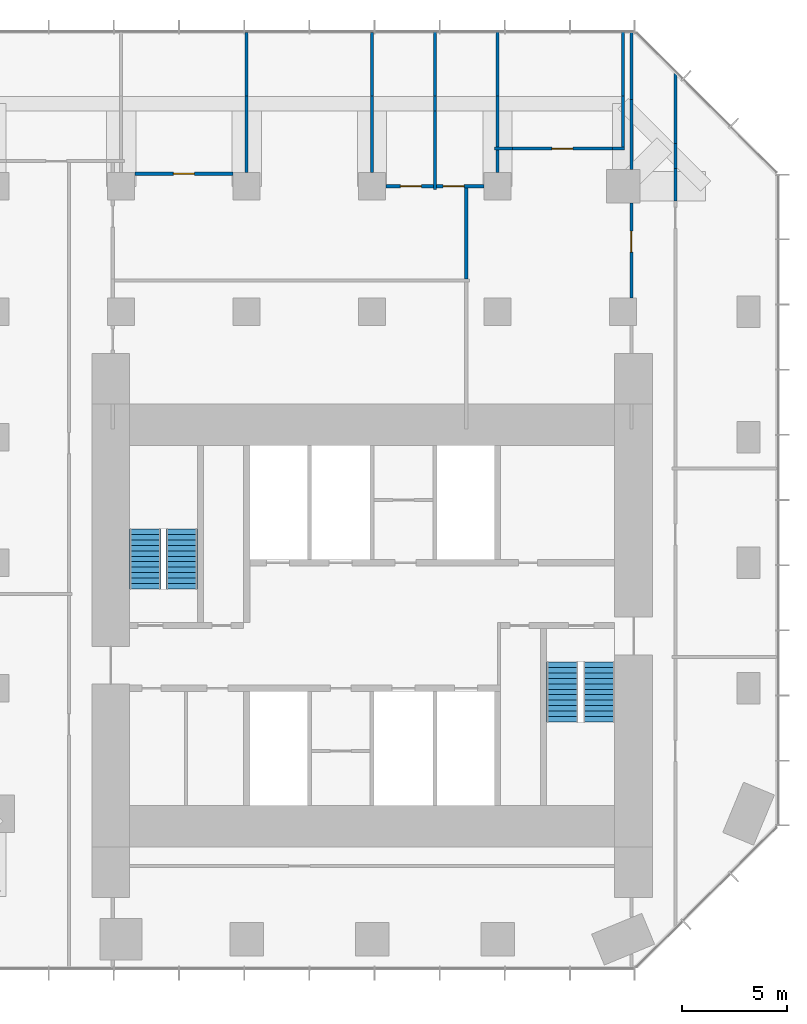
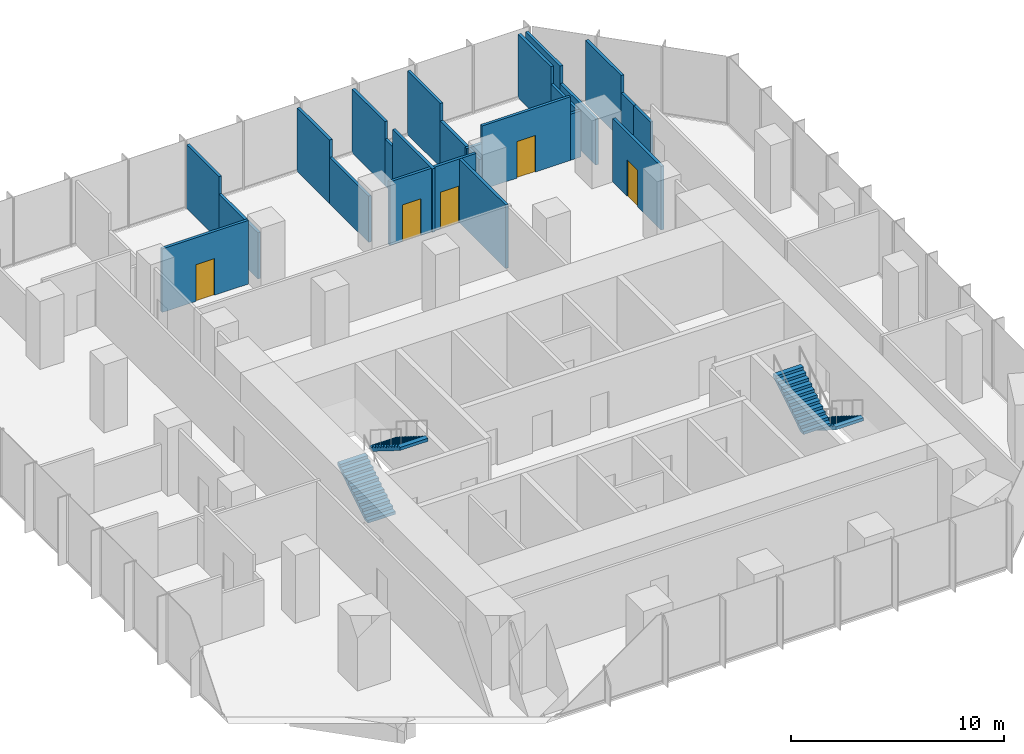
# One storey, part 10 of 11: 25 walls, 5 doors, 4 stair flights, 5 openings, 2 elements without a shape of their own.
"""IFC4 building model written with IfcOpenShell, lengths in metres."""

from ifc_helpers import new_model, si_unit, direction, frame, frame_2d, origin, place, context, subcontext, project, spatial, polyline, rectangle, outline, extrude, material, layer, layer_set, type_object, element, fill, aggregate, save


model = new_model("IFC4")

# Units and contexts
model_context = context("Model", 3, precision=1e-05, world=origin(), true_north=direction((0.0, 1.0)))
body_context = subcontext(model_context, "Body", "Model", "MODEL_VIEW")
ifc_project = project(units=[si_unit("LENGTHUNIT", "METRE"), si_unit("AREAUNIT", "SQUARE_METRE"), si_unit("VOLUMEUNIT", "CUBIC_METRE"), si_unit("PLANEANGLEUNIT", "RADIAN"), si_unit("MASSUNIT", "GRAM", prefix="KILO")], contexts=[model_context])

# Site, building, storey
site_placement = place(None, origin())
site = spatial("IfcSite", under=ifc_project, at=site_placement, CompositionType="ELEMENT")
building_placement = place(site_placement, origin())
building = spatial("IfcBuilding", under=site, at=building_placement, Name="Highveld Stack Headquarters", CompositionType="ELEMENT")
storey_placement = place(building_placement, frame((0.0, 0.0, 204.5)))
storey = spatial("IfcBuildingStorey", under=building, at=storey_placement, Name="L50", CompositionType="ELEMENT", Elevation=204.5)

# Wall, opening, door
ifc_material_1 = material(Name="Laminated glass in aluminium frame", Category="aluminium")
ifc_layer_1 = layer(ifc_material_1, 0.14990234375)
ifc_layer_set_1 = layer_set([ifc_layer_1], Name="Laminated glass in aluminium frame")
wall_type_1 = type_object("IfcWallType", Name="GLAZED PARTITION 150", PredefinedType="PARTITIONING", material=ifc_layer_set_1)
wall_1_placement = place(storey_placement, frame((-5.340087890625, 24.60009765625, 0.0), z_axis=(0.0, 0.0, 1.0), x_axis=(1.0, 0.0, 0.0)))
wall_1 = element("IfcWall", 1, at=wall_1_placement, inside=storey, type_object=wall_type_1, Name="Glazed partition Video conference room L50", PredefinedType="PARTITIONING", context=body_context, shape_type="SweptSolid", body=[
    extrude(rectangle(XDim=4.68017578125, YDim=0.14990234375, at=frame_2d((2.340087890625, 0.0))), origin(), (0.0, 0.0, 1.0), 3.64990234375),
])
opening_1_placement = place(wall_1_placement, frame((1.840087890625, 0.0, 0.0)))
opening_1 = element("IfcOpeningElement", 2, at=opening_1_placement, cuts=wall_1, Name="Opening L50-17", PredefinedType="OPENING", context=body_context, shape_type="SweptSolid", body=[
    extrude(rectangle(XDim=1.0, YDim=2.10009765625, at=frame_2d((0.5, 1.050048828125))), frame((0.0, 0.0849609375, 0.0), z_axis=(0.0, -1.0, 0.0), x_axis=(1.0, 0.0, 0.0)), (0.0, 0.0, 1.0), 0.169921875),
])
ifc_material_2 = material(Name="Timber door, oiled ash", Category="wood")
door_type = type_object("IfcDoorType", Name="ROOM DOOR D6 1000x2100", OperationType="SINGLE_SWING_LEFT", PredefinedType="DOOR", material=ifc_material_2)
door_1_placement = place(opening_1_placement, origin())
door_1 = element("IfcDoor", 3, at=door_1_placement, inside=storey, type_object=door_type, Name="Video conference room door 1 L50", OperationType="SINGLE_SWING_RIGHT", OverallHeight=2.10009765625, OverallWidth=1.0, PredefinedType="DOOR", context=body_context, shape_type="SweptSolid", body=[
    extrude(rectangle(XDim=1.0, YDim=2.10009765625, at=frame_2d((0.5, 1.050048828125))), frame((0.0, 0.02490234375, 0.0), z_axis=(0.0, -1.0, 0.0), x_axis=(1.0, 0.0, 0.0)), (0.0, 0.0, 1.0), 0.050048828125),
])
fill(opening_1, door_1)

ifc_material_3 = material(Name="Gypsum plasterboard on steel studs", Category="steel")
ifc_layer_2 = layer(ifc_material_3, 0.14990234375)
ifc_layer_set_2 = layer_set([ifc_layer_2], Name="Gypsum plasterboard on steel studs")
wall_type_2 = type_object("IfcWallType", Name="PARTITION 150 PLASTERBOARD", PredefinedType="PARTITIONING", material=ifc_layer_set_2)
wall_2_placement = place(storey_placement, frame((6.659912109375, 24.0, 0.0), z_axis=(0.0, 0.0, 1.0), x_axis=(1.0, 0.0, 0.0)))
wall_2 = element("IfcWall", 4, at=wall_2_placement, inside=storey, type_object=wall_type_2, Name="Partition Office L50", PredefinedType="PARTITIONING", context=body_context, shape_type="SweptSolid", body=[
    extrude(rectangle(XDim=2.26513671875, YDim=0.14990234375, at=frame_2d((1.132568359375, 0.0))), origin(), (0.0, 0.0, 1.0), 3.64990234375),
])
opening_2_placement = place(wall_2_placement, frame((0.695068359375, 0.0, 0.0)))
opening_2 = element("IfcOpeningElement", 5, at=opening_2_placement, cuts=wall_2, Name="Opening L50-18", PredefinedType="OPENING", context=body_context, shape_type="SweptSolid", body=[
    extrude(rectangle(XDim=1.0, YDim=2.10009765625, at=frame_2d((0.5, 1.050048828125))), frame((0.0, 0.0849609375, 0.0), z_axis=(0.0, -1.0, 0.0), x_axis=(1.0, 0.0, 0.0)), (0.0, 0.0, 1.0), 0.169921875),
])
door_2_placement = place(opening_2_placement, origin())
door_2 = element("IfcDoor", 6, at=door_2_placement, inside=storey, type_object=door_type, Name="Office door 1 L50", OperationType="SINGLE_SWING_RIGHT", OverallHeight=2.10009765625, OverallWidth=1.0, PredefinedType="DOOR", context=body_context, shape_type="SweptSolid", body=[
    extrude(rectangle(XDim=1.0, YDim=2.10009765625, at=frame_2d((0.5, 1.050048828125))), frame((0.0, 0.02490234375, 0.0), z_axis=(0.0, -1.0, 0.0), x_axis=(1.0, 0.0, 0.0)), (0.0, 0.0, 1.0), 0.050048828125),
])
fill(opening_2, door_2)

wall_3_placement = place(storey_placement, frame((9.074951171875, 24.0, 0.0), z_axis=(0.0, 0.0, 1.0), x_axis=(1.0, 0.0, 0.0)))
wall_3 = element("IfcWall", 7, at=wall_3_placement, inside=storey, type_object=wall_type_2, Name="Partition Office L50", PredefinedType="PARTITIONING", context=body_context, shape_type="SweptSolid", body=[
    extrude(rectangle(XDim=2.26513671875, YDim=0.14990234375, at=frame_2d((1.132568359375, 0.0))), origin(), (0.0, 0.0, 1.0), 3.64990234375),
])
opening_3_placement = place(wall_3_placement, frame((0.324951171875, 0.0, 0.0)))
opening_3 = element("IfcOpeningElement", 8, at=opening_3_placement, cuts=wall_3, Name="Opening L50-19", PredefinedType="OPENING", context=body_context, shape_type="SweptSolid", body=[
    extrude(rectangle(XDim=1.0, YDim=2.10009765625, at=frame_2d((0.5, 1.050048828125))), frame((0.0, 0.0849609375, 0.0), z_axis=(0.0, -1.0, 0.0), x_axis=(1.0, 0.0, 0.0)), (0.0, 0.0, 1.0), 0.169921875),
])
door_3_placement = place(opening_3_placement, origin())
door_3 = element("IfcDoor", 9, at=door_3_placement, inside=storey, type_object=door_type, Name="Office door 1 L50", OperationType="SINGLE_SWING_LEFT", OverallHeight=2.10009765625, OverallWidth=1.0, PredefinedType="DOOR", context=body_context, shape_type="SweptSolid", body=[
    extrude(rectangle(XDim=1.0, YDim=2.10009765625, at=frame_2d((0.5, 1.050048828125))), frame((0.0, 0.02490234375, 0.0), z_axis=(0.0, -1.0, 0.0), x_axis=(1.0, 0.0, 0.0)), (0.0, 0.0, 1.0), 0.050048828125),
])
fill(opening_3, door_3)

# Wall
wall_4_placement = place(storey_placement, frame((11.85009765625, 25.800048828125, 0.0), z_axis=(0.0, 0.0, 1.0), x_axis=(1.0, 0.0, 0.0)))
element("IfcWall", 10, at=wall_4_placement, inside=storey, type_object=wall_type_2, Name="Partition Print room L50", PredefinedType="PARTITIONING", context=body_context, shape_type="SweptSolid", body=[
    extrude(rectangle(XDim=0.85986328125, YDim=0.14990234375, at=frame_2d((0.429931640625, 0.0))), origin(), (0.0, 0.0, 1.0), 2.64990234375),
])

# Wall, opening, door
wall_5_placement = place(storey_placement, frame((12.7099609375, 25.800048828125, 0.0), z_axis=(0.0, 0.0, 1.0), x_axis=(1.0, 0.0, 0.0)))
wall_5 = element("IfcWall", 11, at=wall_5_placement, inside=storey, type_object=wall_type_2, Name="Partition Print room L50", PredefinedType="PARTITIONING", context=body_context, shape_type="SweptSolid", body=[
    extrude(rectangle(XDim=4.780029296875, YDim=0.14990234375, at=frame_2d((2.39013671875, 0.0))), origin(), (0.0, 0.0, 1.0), 3.64990234375),
])
opening_4_placement = place(wall_5_placement, frame((1.889892578125, 0.0, 0.0)))
opening_4 = element("IfcOpeningElement", 12, at=opening_4_placement, cuts=wall_5, Name="Opening L50-20", PredefinedType="OPENING", context=body_context, shape_type="SweptSolid", body=[
    extrude(rectangle(XDim=1.0, YDim=2.10009765625, at=frame_2d((0.5, 1.050048828125))), frame((0.0, 0.0849609375, 0.0), z_axis=(0.0, -1.0, 0.0), x_axis=(1.0, 0.0, 0.0)), (0.0, 0.0, 1.0), 0.169921875),
])
door_4_placement = place(opening_4_placement, origin())
door_4 = element("IfcDoor", 13, at=door_4_placement, inside=storey, type_object=door_type, Name="Print room door 1 L50", OperationType="SINGLE_SWING_LEFT", OverallHeight=2.10009765625, OverallWidth=1.0, PredefinedType="DOOR", context=body_context, shape_type="SweptSolid", body=[
    extrude(rectangle(XDim=1.0, YDim=2.10009765625, at=frame_2d((0.5, 1.050048828125))), frame((0.0, 0.02490234375, 0.0), z_axis=(0.0, -1.0, 0.0), x_axis=(1.0, 0.0, 0.0)), (0.0, 0.0, 1.0), 0.050048828125),
])
fill(opening_4, door_4)

# Walls
wall_6_placement = place(storey_placement, frame((17.489990234375, 25.800048828125, 0.0), z_axis=(0.0, 0.0, 1.0), x_axis=(1.0, 0.0, 0.0)))
element("IfcWall", 14, at=wall_6_placement, inside=storey, type_object=wall_type_2, Name="Partition Print room L50", PredefinedType="PARTITIONING", context=body_context, shape_type="SweptSolid", body=[
    extrude(rectangle(XDim=0.5849609375, YDim=0.14990234375, at=frame_2d((0.29248046875, 0.0))), origin(), (0.0, 0.0, 1.0), 2.64990234375),
])
wall_7_placement = place(storey_placement, frame((0.0, 24.64990234375, 0.0), z_axis=(0.0, 0.0, 1.0), x_axis=(0.0, 1.0, 0.0)))
element("IfcWall", 15, at=wall_7_placement, inside=storey, type_object=wall_type_2, Name="Partition Video conference room L50", PredefinedType="PARTITIONING", context=body_context, shape_type="SweptSolid", body=[
    extrude(rectangle(XDim=3.66015625, YDim=0.14990234375, at=frame_2d((1.830078125, 0.0))), origin(), (0.0, 0.0, 1.0), 2.64990234375),
])
wall_8_placement = place(storey_placement, frame((0.0, 28.31005859375, 0.0), z_axis=(0.0, 0.0, 1.0), x_axis=(0.0, 1.0, 0.0)))
element("IfcWall", 16, at=wall_8_placement, inside=storey, type_object=wall_type_2, Name="Partition Video conference room L50", PredefinedType="PARTITIONING", context=body_context, shape_type="SweptSolid", body=[
    extrude(rectangle(XDim=3.0400390625, YDim=0.14990234375, at=frame_2d((1.52001953125, 0.0))), origin(), (0.0, 0.0, 1.0), 3.64990234375),
])
wall_9_placement = place(storey_placement, frame((6.0, 24.64990234375, 0.0), z_axis=(0.0, 0.0, 1.0), x_axis=(0.0, 1.0, 0.0)))
element("IfcWall", 17, at=wall_9_placement, inside=storey, type_object=wall_type_2, Name="Partition Office L50", PredefinedType="PARTITIONING", context=body_context, shape_type="SweptSolid", body=[
    extrude(rectangle(XDim=3.66015625, YDim=0.14990234375, at=frame_2d((1.830078125, 0.0))), origin(), (0.0, 0.0, 1.0), 2.64990234375),
])
wall_10_placement = place(storey_placement, frame((6.0, 28.31005859375, 0.0), z_axis=(0.0, 0.0, 1.0), x_axis=(0.0, 1.0, 0.0)))
element("IfcWall", 18, at=wall_10_placement, inside=storey, type_object=wall_type_2, Name="Partition Office L50", PredefinedType="PARTITIONING", context=body_context, shape_type="SweptSolid", body=[
    extrude(rectangle(XDim=3.0400390625, YDim=0.14990234375, at=frame_2d((1.52001953125, 0.0))), origin(), (0.0, 0.0, 1.0), 3.64990234375),
])
wall_11_placement = place(storey_placement, frame((9.0, 23.85009765625, 0.0), z_axis=(0.0, 0.0, 1.0), x_axis=(0.0, 1.0, 0.0)))
element("IfcWall", 19, at=wall_11_placement, inside=storey, type_object=wall_type_2, Name="Partition Office L50", PredefinedType="PARTITIONING", context=body_context, shape_type="SweptSolid", body=[
    extrude(rectangle(XDim=3.739990234375, YDim=0.14990234375, at=frame_2d((1.8701171875, 0.0))), origin(), (0.0, 0.0, 1.0), 3.64990234375),
])
wall_12_placement = place(storey_placement, frame((9.0, 27.590087890625, 0.0), z_axis=(0.0, 0.0, 1.0), x_axis=(0.0, 1.0, 0.0)))
element("IfcWall", 20, at=wall_12_placement, inside=storey, type_object=wall_type_2, Name="Partition Office L50", PredefinedType="PARTITIONING", context=body_context, shape_type="SweptSolid", body=[
    extrude(rectangle(XDim=0.719970703125, YDim=0.14990234375, at=frame_2d((0.35986328125, 0.0))), origin(), (0.0, 0.0, 1.0), 2.64990234375),
])
wall_13_placement = place(storey_placement, frame((9.0, 28.31005859375, 0.0), z_axis=(0.0, 0.0, 1.0), x_axis=(0.0, 1.0, 0.0)))
element("IfcWall", 21, at=wall_13_placement, inside=storey, type_object=wall_type_2, Name="Partition Office L50", PredefinedType="PARTITIONING", context=body_context, shape_type="SweptSolid", body=[
    extrude(rectangle(XDim=3.08984375, YDim=0.14990234375, at=frame_2d((1.544921875, 0.0))), origin(), (0.0, 0.0, 1.0), 3.64990234375),
])
wall_14_placement = place(storey_placement, frame((12.0, 24.64990234375, 0.0), z_axis=(0.0, 0.0, 1.0), x_axis=(0.0, 1.0, 0.0)))
element("IfcWall", 22, at=wall_14_placement, inside=storey, type_object=wall_type_2, Name="Partition Office L50", PredefinedType="PARTITIONING", context=body_context, shape_type="SweptSolid", body=[
    extrude(rectangle(XDim=1.0751953125, YDim=0.14990234375, at=frame_2d((0.53759765625, 0.0))), origin(), (0.0, 0.0, 1.0), 2.64990234375),
])
wall_15_placement = place(storey_placement, frame((12.0, 25.875, 0.0), z_axis=(0.0, 0.0, 1.0), x_axis=(0.0, 1.0, 0.0)))
element("IfcWall", 23, at=wall_15_placement, inside=storey, type_object=wall_type_2, Name="Partition Office / Print room L50", PredefinedType="PARTITIONING", context=body_context, shape_type="SweptSolid", body=[
    extrude(rectangle(XDim=2.43505859375, YDim=0.14990234375, at=frame_2d((1.217529296875, 0.0))), origin(), (0.0, 0.0, 1.0), 2.64990234375),
])
wall_16_placement = place(storey_placement, frame((12.0, 28.31005859375, 0.0), z_axis=(0.0, 0.0, 1.0), x_axis=(0.0, 1.0, 0.0)))
element("IfcWall", 24, at=wall_16_placement, inside=storey, type_object=wall_type_2, Name="Partition Office / Print room L50", PredefinedType="PARTITIONING", context=body_context, shape_type="SweptSolid", body=[
    extrude(rectangle(XDim=3.08984375, YDim=0.14990234375, at=frame_2d((1.544921875, 0.0))), origin(), (0.0, 0.0, 1.0), 3.64990234375),
])
wall_17_placement = place(storey_placement, frame((18.0, 25.875, 0.0), z_axis=(0.0, 0.0, 1.0), x_axis=(0.0, 1.0, 0.0)))
element("IfcWall", 25, at=wall_17_placement, inside=storey, type_object=wall_type_2, Name="Partition Print room L50", PredefinedType="PARTITIONING", context=body_context, shape_type="SweptSolid", body=[
    extrude(rectangle(XDim=2.43505859375, YDim=0.14990234375, at=frame_2d((1.217529296875, 0.0))), origin(), (0.0, 0.0, 1.0), 2.64990234375),
])
wall_18_placement = place(storey_placement, frame((18.0, 28.31005859375, 0.0), z_axis=(0.0, 0.0, 1.0), x_axis=(0.0, 1.0, 0.0)))
element("IfcWall", 26, at=wall_18_placement, inside=storey, type_object=wall_type_2, Name="Partition Print room L50", PredefinedType="PARTITIONING", context=body_context, shape_type="SweptSolid", body=[
    extrude(rectangle(XDim=3.08984375, YDim=0.14990234375, at=frame_2d((1.544921875, 0.0))), origin(), (0.0, 0.0, 1.0), 3.64990234375),
])
wall_19_placement = place(storey_placement, frame((10.5, 19.574951171875, 0.0), z_axis=(0.0, 0.0, 1.0), x_axis=(0.0, 1.0, 0.0)))
element("IfcWall", 27, at=wall_19_placement, inside=storey, type_object=wall_type_2, Name="Partition office neighbourhood L50", PredefinedType="PARTITIONING", context=body_context, shape_type="SweptSolid", body=[
    extrude(rectangle(XDim=4.35009765625, YDim=0.14990234375, at=frame_2d((2.175048828125, 0.0))), origin(), (0.0, 0.0, 1.0), 3.64990234375),
])

# Wall, opening, door
wall_20_placement = place(storey_placement, frame((18.39990234375, 18.64990234375, 0.0), z_axis=(0.0, 0.0, 1.0), x_axis=(0.0, 1.0, 0.0)))
wall_20 = element("IfcWall", 28, at=wall_20_placement, inside=storey, type_object=wall_type_2, Name="Partition office neighbourhood L50", PredefinedType="PARTITIONING", context=body_context, shape_type="SweptSolid", body=[
    extrude(rectangle(XDim=4.550048828125, YDim=0.14990234375, at=frame_2d((2.27490234375, 0.0))), origin(), (0.0, 0.0, 1.0), 3.64990234375),
])
opening_5_placement = place(wall_20_placement, frame((2.205078125, 0.0, 0.0)))
opening_5 = element("IfcOpeningElement", 29, at=opening_5_placement, cuts=wall_20, Name="Opening L50-26", PredefinedType="OPENING", context=body_context, shape_type="SweptSolid", body=[
    extrude(rectangle(XDim=1.0, YDim=2.10009765625, at=frame_2d((0.5, 1.050048828125))), frame((0.0, 0.0849609375, 0.0), z_axis=(0.0, -1.0, 0.0), x_axis=(1.0, 0.0, 0.0)), (0.0, 0.0, 1.0), 0.169921875),
])
door_5_placement = place(opening_5_placement, origin())
door_5 = element("IfcDoor", 30, at=door_5_placement, inside=storey, type_object=door_type, Name="Office neighbourhood door L50", OperationType="SINGLE_SWING_RIGHT", OverallHeight=2.10009765625, OverallWidth=1.0, PredefinedType="DOOR", context=body_context, shape_type="SweptSolid", body=[
    extrude(rectangle(XDim=1.0, YDim=2.10009765625, at=frame_2d((0.5, 1.050048828125))), frame((0.0, 0.02490234375, 0.0), z_axis=(0.0, -1.0, 0.0), x_axis=(1.0, 0.0, 0.0)), (0.0, 0.0, 1.0), 0.050048828125),
])
fill(opening_5, door_5)

# Walls
wall_21_placement = place(storey_placement, frame((18.39990234375, 24.800048828125, 0.0), z_axis=(0.0, 0.0, 1.0), x_axis=(0.0, 1.0, 0.0)))
element("IfcWall", 31, at=wall_21_placement, inside=storey, type_object=wall_type_2, Name="Partition office neighbourhood L50", PredefinedType="PARTITIONING", context=body_context, shape_type="SweptSolid", body=[
    extrude(rectangle(XDim=3.33984375, YDim=0.14990234375, at=frame_2d((1.669921875, 0.0))), origin(), (0.0, 0.0, 1.0), 2.64990234375),
])
wall_22_placement = place(storey_placement, frame((18.39990234375, 28.139892578125, 0.0), z_axis=(0.0, 0.0, 1.0), x_axis=(0.0, 1.0, 0.0)))
element("IfcWall", 32, at=wall_22_placement, inside=storey, type_object=wall_type_2, Name="Partition office neighbourhood L50", PredefinedType="PARTITIONING", context=body_context, shape_type="SweptSolid", body=[
    extrude(rectangle(XDim=3.260009765625, YDim=0.14990234375, at=frame_2d((1.6298828125, 0.0))), origin(), (0.0, 0.0, 1.0), 3.64990234375),
])
wall_23_placement = place(storey_placement, frame((20.5, 23.2900390625, 0.0), z_axis=(0.0, 0.0, 1.0), x_axis=(0.0, 1.0, 0.0)))
element("IfcWall", 33, at=wall_23_placement, inside=storey, type_object=wall_type_2, Name="Partition office neighbourhood L50", PredefinedType="PARTITIONING", context=body_context, shape_type="SweptSolid", body=[
    extrude(rectangle(XDim=1.570068359375, YDim=0.14990234375, at=frame_2d((0.78515625, 0.0))), origin(), (0.0, 0.0, 1.0), 2.64990234375),
])
wall_24_placement = place(storey_placement, frame((20.5, 24.860107421875, 0.0), z_axis=(0.0, 0.0, 1.0), x_axis=(0.0, 1.0, 0.0)))
element("IfcWall", 34, at=wall_24_placement, inside=storey, type_object=wall_type_2, Name="Partition office neighbourhood L50", PredefinedType="PARTITIONING", context=body_context, shape_type="SweptSolid", body=[
    extrude(rectangle(XDim=1.179931640625, YDim=0.14990234375, at=frame_2d((0.58984375, 0.0))), origin(), (0.0, 0.0, 1.0), 2.64990234375),
])
wall_25_placement = place(storey_placement, frame((20.5, 26.0400390625, 0.0), z_axis=(0.0, 0.0, 1.0), x_axis=(0.0, 1.0, 0.0)))
element("IfcWall", 35, at=wall_25_placement, inside=storey, type_object=wall_type_2, Name="Partition office neighbourhood L50", PredefinedType="PARTITIONING", context=body_context, shape_type="SweptSolid", body=[
    extrude(rectangle(XDim=3.347900390625, YDim=0.14990234375, at=frame_2d((1.673828125, 0.0))), origin(), (0.0, 0.0, 1.0), 3.64990234375),
])

# Stair, stair flights
ifc_material_4 = material(Name="Concrete C40/50, precast", Category="concrete")
stair_type_1 = type_object("IfcStairType", Name="STAIR S1 HALF TURN 1500", PredefinedType="HALF_TURN_STAIR", material=ifc_material_4)
stair_1_placement = place(storey_placement, origin())
stair_1 = element("IfcStair", 36, at=stair_1_placement, inside=storey, type_object=stair_type_1, Name="Stair S1 L50", PredefinedType="HALF_TURN_STAIR")
ifc_material_5 = material(Name="Concrete C40/50, precast", Category="concrete")
stair_flight_type = type_object("IfcStairFlightType", Name="STAIR FLIGHT 1500 PRECAST", PredefinedType="STRAIGHT", material=ifc_material_5)
stair_flight_1_placement = place(storey_placement, frame((-4.85009765625, 4.75, 0.0), z_axis=(0.0, 0.0, 1.0), x_axis=(0.0, 1.0, 0.0)))
stair_flight_1 = element("IfcStairFlight", 37, at=stair_flight_1_placement, type_object=stair_flight_type, Name="S1 flight 1", NumberOfRisers=12, NumberOfTreads=11, PredefinedType="STRAIGHT", RiserHeight=0.1625, TreadLength=0.26, context=body_context, shape_type="SweptSolid", body=[
    extrude(outline(polyline([(0.0, 0.0), (0.0, 0.16259765625), (0.260009765625, 0.16259765625), (0.260009765625, 0.324951171875), (0.52001953125, 0.324951171875), (0.52001953125, 0.487548828125), (0.780029296875, 0.487548828125), (0.780029296875, 0.64990234375), (1.0400390625, 0.64990234375), (1.0400390625, 0.8125), (1.300048828125, 0.8125), (1.300048828125, 0.97509765625), (1.56005859375, 0.97509765625), (1.56005859375, 1.137451171875), (1.820068359375, 1.137451171875), (1.820068359375, 1.300048828125), (2.080078125, 1.300048828125), (2.080078125, 1.46240234375), (2.340087890625, 1.46240234375), (2.340087890625, 1.625), (2.60009765625, 1.625), (2.60009765625, 1.78759765625), (2.860107421875, 1.78759765625), (2.860107421875, 1.949951171875), (2.860107421875, 1.61083984375), (0.28271484375, 0.0), (0.0, 0.0)])), frame((0.0, 0.75, 0.0), z_axis=(0.0, -1.0, 0.0), x_axis=(1.0, 0.0, 0.0)), (0.0, 0.0, 1.0), 1.5),
])
stair_flight_2_placement = place(storey_placement, frame((-3.10009765625, 7.610107421875, 1.949951171875), z_axis=(0.0, 0.0, 1.0), x_axis=(0.0, -1.0, 0.0)))
stair_flight_2 = element("IfcStairFlight", 38, at=stair_flight_2_placement, type_object=stair_flight_type, Name="S1 flight 2", NumberOfRisers=12, NumberOfTreads=11, PredefinedType="STRAIGHT", RiserHeight=0.1625, TreadLength=0.26, context=body_context, shape_type="SweptSolid", body=[
    extrude(outline(polyline([(0.0, 0.0), (0.0, 0.16259765625), (0.260009765625, 0.16259765625), (0.260009765625, 0.324951171875), (0.52001953125, 0.324951171875), (0.52001953125, 0.487548828125), (0.780029296875, 0.487548828125), (0.780029296875, 0.64990234375), (1.0400390625, 0.64990234375), (1.0400390625, 0.8125), (1.300048828125, 0.8125), (1.300048828125, 0.97509765625), (1.56005859375, 0.97509765625), (1.56005859375, 1.137451171875), (1.820068359375, 1.137451171875), (1.820068359375, 1.300048828125), (2.080078125, 1.300048828125), (2.080078125, 1.46240234375), (2.340087890625, 1.46240234375), (2.340087890625, 1.625), (2.60009765625, 1.625), (2.60009765625, 1.78759765625), (2.860107421875, 1.78759765625), (2.860107421875, 1.949951171875), (2.860107421875, 1.61083984375), (0.28271484375, 0.0), (0.0, 0.0)])), frame((0.0, 0.75, 0.0), z_axis=(0.0, -1.0, 0.0), x_axis=(1.0, 0.0, 0.0)), (0.0, 0.0, 1.0), 1.5),
])
aggregate(stair_1, [stair_flight_1, stair_flight_2])

ifc_material_6 = material(Name="Concrete C40/50, precast", Category="concrete")
stair_type_2 = type_object("IfcStairType", Name="STAIR S2 HALF TURN 1500", PredefinedType="HALF_TURN_STAIR", material=ifc_material_6)
stair_2_placement = place(storey_placement, origin())
stair_2 = element("IfcStair", 39, at=stair_2_placement, inside=storey, type_object=stair_type_2, Name="Stair S2 L50", PredefinedType="HALF_TURN_STAIR")
stair_flight_3_placement = place(storey_placement, frame((16.85009765625, 1.25, 0.0), z_axis=(0.0, 0.0, 1.0), x_axis=(0.0, -1.0, 0.0)))
stair_flight_3 = element("IfcStairFlight", 40, at=stair_flight_3_placement, type_object=stair_flight_type, Name="S2 flight 1", NumberOfRisers=12, NumberOfTreads=11, PredefinedType="STRAIGHT", RiserHeight=0.1625, TreadLength=0.26, context=body_context, shape_type="SweptSolid", body=[
    extrude(outline(polyline([(0.0, 0.0), (0.0, 0.16259765625), (0.260009765625, 0.16259765625), (0.260009765625, 0.324951171875), (0.52001953125, 0.324951171875), (0.52001953125, 0.487548828125), (0.780029296875, 0.487548828125), (0.780029296875, 0.64990234375), (1.0400390625, 0.64990234375), (1.0400390625, 0.8125), (1.300048828125, 0.8125), (1.300048828125, 0.97509765625), (1.56005859375, 0.97509765625), (1.56005859375, 1.137451171875), (1.820068359375, 1.137451171875), (1.820068359375, 1.300048828125), (2.080078125, 1.300048828125), (2.080078125, 1.46240234375), (2.340087890625, 1.46240234375), (2.340087890625, 1.625), (2.60009765625, 1.625), (2.60009765625, 1.78759765625), (2.860107421875, 1.78759765625), (2.860107421875, 1.949951171875), (2.860107421875, 1.61083984375), (0.28271484375, 0.0), (0.0, 0.0)])), frame((0.0, 0.75, 0.0), z_axis=(0.0, -1.0, 0.0), x_axis=(1.0, 0.0, 0.0)), (0.0, 0.0, 1.0), 1.5),
])
stair_flight_4_placement = place(storey_placement, frame((15.10009765625, -1.610107421875, 1.949951171875), z_axis=(0.0, 0.0, 1.0), x_axis=(0.0, 1.0, 0.0)))
stair_flight_4 = element("IfcStairFlight", 41, at=stair_flight_4_placement, type_object=stair_flight_type, Name="S2 flight 2", NumberOfRisers=12, NumberOfTreads=11, PredefinedType="STRAIGHT", RiserHeight=0.1625, TreadLength=0.26, context=body_context, shape_type="SweptSolid", body=[
    extrude(outline(polyline([(0.0, 0.0), (0.0, 0.16259765625), (0.260009765625, 0.16259765625), (0.260009765625, 0.324951171875), (0.52001953125, 0.324951171875), (0.52001953125, 0.487548828125), (0.780029296875, 0.487548828125), (0.780029296875, 0.64990234375), (1.0400390625, 0.64990234375), (1.0400390625, 0.8125), (1.300048828125, 0.8125), (1.300048828125, 0.97509765625), (1.56005859375, 0.97509765625), (1.56005859375, 1.137451171875), (1.820068359375, 1.137451171875), (1.820068359375, 1.300048828125), (2.080078125, 1.300048828125), (2.080078125, 1.46240234375), (2.340087890625, 1.46240234375), (2.340087890625, 1.625), (2.60009765625, 1.625), (2.60009765625, 1.78759765625), (2.860107421875, 1.78759765625), (2.860107421875, 1.949951171875), (2.860107421875, 1.61083984375), (0.28271484375, 0.0), (0.0, 0.0)])), frame((0.0, 0.75, 0.0), z_axis=(0.0, -1.0, 0.0), x_axis=(1.0, 0.0, 0.0)), (0.0, 0.0, 1.0), 1.5),
])
aggregate(stair_2, [stair_flight_3, stair_flight_4])

save(model, "model.ifc")
